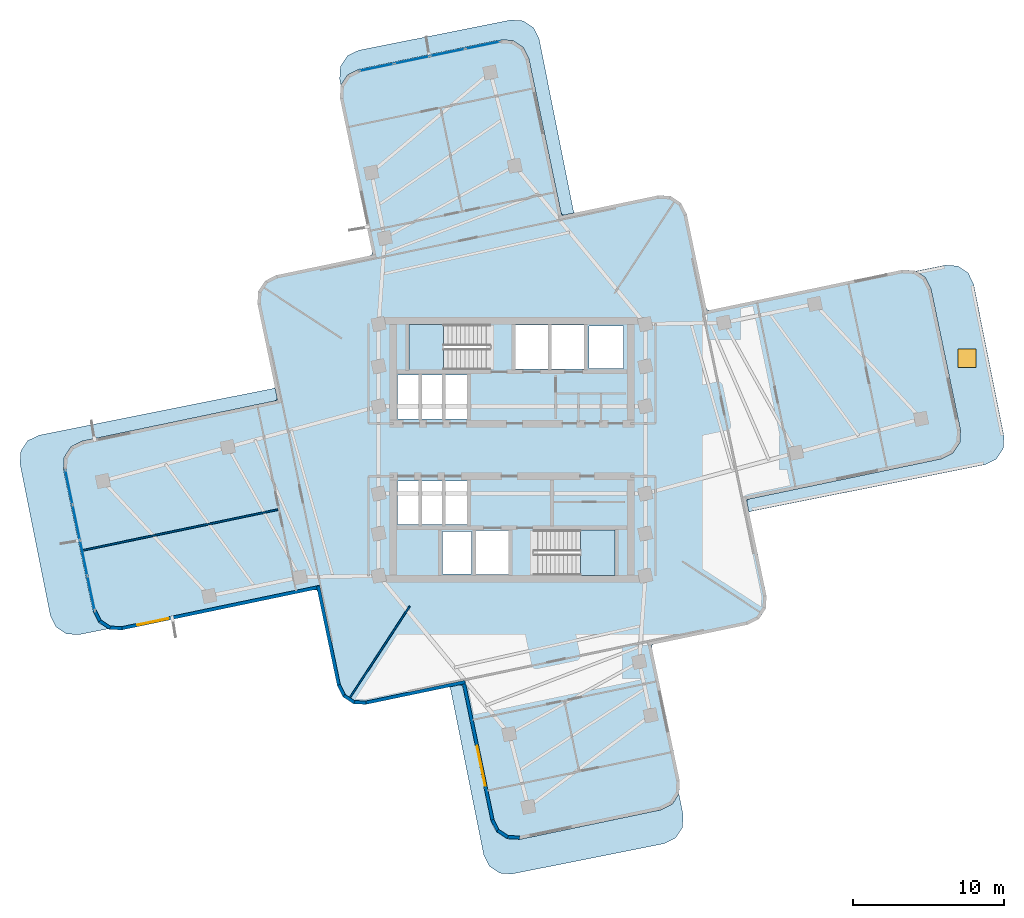
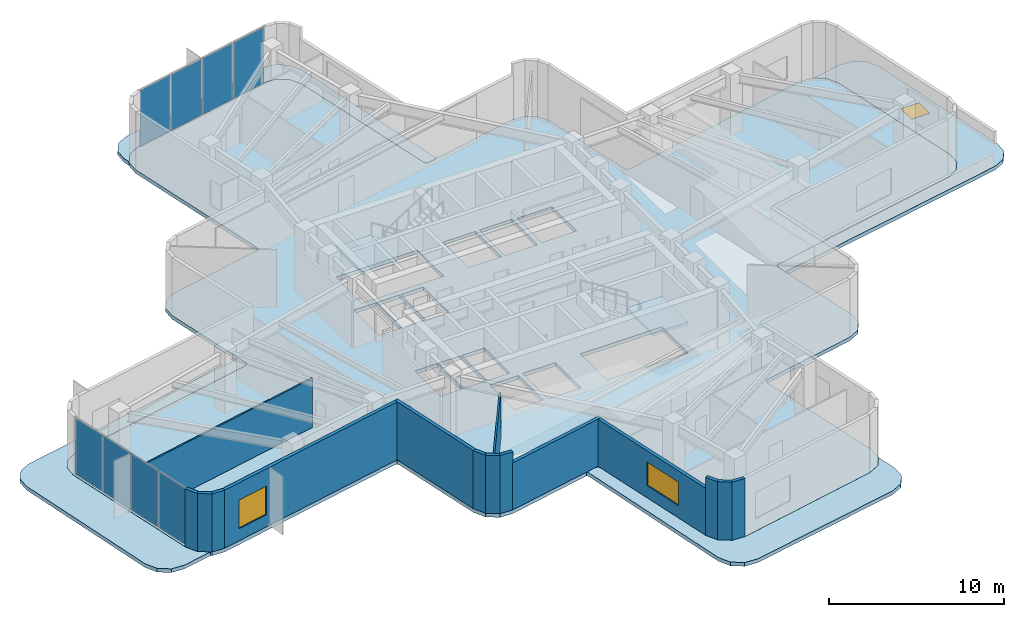
# One storey, part 5 of 12: 15 walls, 8 plates, 7 slabs, 3 windows, 3 openings, 4 elements without a shape of their own.
"""IFC4 building model written with IfcOpenShell, lengths in metres."""

from ifc_helpers import new_model, si_unit, direction, frame, frame_2d, origin, origin_2d, place, context, subcontext, project, spatial, polyline, rectangle, outline, extrude, material, layer, layer_set, type_object, element, fill, aggregate, save


model = new_model("IFC4")

# Units and contexts
model_context = context("Model", 3, precision=1e-05, world=origin(), true_north=direction((0.0, 1.0)))
body_context = subcontext(model_context, "Body", "Model", "MODEL_VIEW")
ifc_project = project(units=[si_unit("LENGTHUNIT", "METRE"), si_unit("AREAUNIT", "SQUARE_METRE"), si_unit("VOLUMEUNIT", "CUBIC_METRE"), si_unit("PLANEANGLEUNIT", "RADIAN"), si_unit("MASSUNIT", "GRAM", prefix="KILO")], contexts=[model_context])

# Site, building, storey
site_placement = place(None, origin())
site = spatial("IfcSite", under=ifc_project, at=site_placement, CompositionType="ELEMENT")
building_placement = place(site_placement, origin())
building = spatial("IfcBuilding", under=site, at=building_placement, Name="Solmarez Civic Tower", CompositionType="ELEMENT")
storey_placement = place(building_placement, frame((0.0, 0.0, 111.9599609375)))
storey = spatial("IfcBuildingStorey", under=building, at=storey_placement, Name="L29", CompositionType="ELEMENT", Elevation=111.9599609375)

# Curtain wall, plates
ifc_material_1 = material(Name="Bronze Anodised Aluminium EN AW-6063 T6", Category="aluminium")
ifc_layer_1 = layer(ifc_material_1, 0.2099609375)
ifc_layer_set_1 = layer_set([ifc_layer_1], Name="Bronze Anodised Aluminium EN AW-6063 T6")
curtain_wall_type = type_object("IfcCurtainWallType", Name="CW-SYS-5", PredefinedType="NOTDEFINED", material=ifc_layer_set_1)
curtain_wall_1_placement = place(storey_placement, origin())
curtain_wall_1 = element("IfcCurtainWall", 1, at=curtain_wall_1_placement, inside=storey, type_object=curtain_wall_type, Name="L29 Stick-Built Curtain Wall 1", PredefinedType="NOTDEFINED")
ifc_material_2 = material(Name="Solar Control Low-E Laminated Vision Glass", Category="glass")
ifc_layer_2 = layer(ifc_material_2, 0.028076171875)
ifc_layer_set_2 = layer_set([ifc_layer_2], Name="Solar Control Low-E Laminated Vision Glass")
plate_type = type_object("IfcPlateType", Name="CWP-GLAZ-28", PredefinedType="CURTAIN_PANEL", material=ifc_layer_set_2)
plate_1_placement = place(storey_placement, frame((-27.936767578125, -9.50244140625, 0.06494140625), z_axis=(0.0, 0.0, 1.0), x_axis=(-0.20456439603, 0.978853108427, 0.0)))
plate_1 = element("IfcPlate", 2, at=plate_1_placement, type_object=plate_type, Name="CWS5 panel 1.1", PredefinedType="CURTAIN_PANEL", context=body_context, shape_type="SweptSolid", body=[
    extrude(rectangle(XDim=2.292724609375, YDim=0.028076171875, at=origin_2d()), origin(), (0.0, 0.0, 1.0), 3.929931640625),
])
plate_2_placement = place(storey_placement, frame((-28.425048828125, -7.16650390625, 0.06494140625), z_axis=(0.0, 0.0, 1.0), x_axis=(-0.20456439603, 0.978853108427, 0.0)))
plate_2 = element("IfcPlate", 3, at=plate_2_placement, type_object=plate_type, Name="CWS5 panel 2.1", PredefinedType="CURTAIN_PANEL", context=body_context, shape_type="SweptSolid", body=[
    extrude(rectangle(XDim=2.330078125, YDim=0.028076171875, at=origin_2d()), origin(), (0.0, 0.0, 1.0), 3.929931640625),
])
plate_3_placement = place(storey_placement, frame((-28.9169921875, -4.812255859375, 0.06494140625), z_axis=(0.0, 0.0, 1.0), x_axis=(-0.20456439603, 0.978853108427, 0.0)))
plate_3 = element("IfcPlate", 4, at=plate_3_placement, type_object=plate_type, Name="CWS5 panel 3.1", PredefinedType="CURTAIN_PANEL", context=body_context, shape_type="SweptSolid", body=[
    extrude(rectangle(XDim=2.330078125, YDim=0.028076171875, at=origin_2d()), origin(), (0.0, 0.0, 1.0), 3.929931640625),
])
plate_4_placement = place(storey_placement, frame((-29.4052734375, -2.4765625, 0.06494140625), z_axis=(0.0, 0.0, 1.0), x_axis=(-0.20456439603, 0.978853108427, 0.0)))
plate_4 = element("IfcPlate", 5, at=plate_4_placement, type_object=plate_type, Name="CWS5 panel 4.1", PredefinedType="CURTAIN_PANEL", context=body_context, shape_type="SweptSolid", body=[
    extrude(rectangle(XDim=2.292724609375, YDim=0.028076171875, at=origin_2d()), origin(), (0.0, 0.0, 1.0), 3.929931640625),
])
aggregate(curtain_wall_1, [plate_1, plate_2, plate_3, plate_4])

curtain_wall_2_placement = place(storey_placement, origin())
curtain_wall_2 = element("IfcCurtainWall", 6, at=curtain_wall_2_placement, inside=storey, type_object=curtain_wall_type, Name="L29 Stick-Built Curtain Wall 2", PredefinedType="NOTDEFINED")
plate_5_placement = place(storey_placement, frame((-8.970703125, 25.391845703125, 0.06494140625), z_axis=(0.0, 0.0, 1.0), x_axis=(0.978848758007, 0.204585211948, 0.0)))
plate_5 = element("IfcPlate", 7, at=plate_5_placement, type_object=plate_type, Name="CWS5 panel 1.1", PredefinedType="CURTAIN_PANEL", context=body_context, shape_type="SweptSolid", body=[
    extrude(rectangle(XDim=2.29248046875, YDim=0.028076171875, at=origin_2d()), origin(), (0.0, 0.0, 1.0), 3.929931640625),
])
plate_6_placement = place(storey_placement, frame((-6.635009765625, 25.8798828125, 0.06494140625), z_axis=(0.0, 0.0, 1.0), x_axis=(0.978848758007, 0.204585211948, 0.0)))
plate_6 = element("IfcPlate", 8, at=plate_6_placement, type_object=plate_type, Name="CWS5 panel 2.1", PredefinedType="CURTAIN_PANEL", context=body_context, shape_type="SweptSolid", body=[
    extrude(rectangle(XDim=2.329833984375, YDim=0.028076171875, at=origin_2d()), origin(), (0.0, 0.0, 1.0), 3.929931640625),
])
plate_7_placement = place(storey_placement, frame((-4.281005859375, 26.3720703125, 0.06494140625), z_axis=(0.0, 0.0, 1.0), x_axis=(0.978848758007, 0.204585211948, 0.0)))
plate_7 = element("IfcPlate", 9, at=plate_7_placement, type_object=plate_type, Name="CWS5 panel 3.1", PredefinedType="CURTAIN_PANEL", context=body_context, shape_type="SweptSolid", body=[
    extrude(rectangle(XDim=2.329833984375, YDim=0.028076171875, at=origin_2d()), origin(), (0.0, 0.0, 1.0), 3.929931640625),
])
plate_8_placement = place(storey_placement, frame((-1.9453125, 26.860107421875, 0.06494140625), z_axis=(0.0, 0.0, 1.0), x_axis=(0.978848758007, 0.204585211948, 0.0)))
plate_8 = element("IfcPlate", 10, at=plate_8_placement, type_object=plate_type, Name="CWS5 panel 4.1", PredefinedType="CURTAIN_PANEL", context=body_context, shape_type="SweptSolid", body=[
    extrude(rectangle(XDim=2.29248046875, YDim=0.028076171875, at=origin_2d()), origin(), (0.0, 0.0, 1.0), 3.929931640625),
])
aggregate(curtain_wall_2, [plate_5, plate_6, plate_7, plate_8])

# Stair, slab
ifc_material_3 = material(Name="Concrete C50/60", Category="concrete")
stair_type = type_object("IfcStairType", Name="STAIR-DOGLEG-140W-24R-1800", PredefinedType="HALF_TURN_STAIR", material=ifc_material_3)
stair_1_placement = place(storey_placement, origin())
stair_1 = element("IfcStair", 11, at=stair_1_placement, inside=storey, type_object=stair_type, Name="L29 North Core Protected Exit Stair ST-1", PredefinedType="HALF_TURN_STAIR")
ifc_layer_3 = layer(ifc_material_3, 0.199951171875)
ifc_layer_set_3 = layer_set([ifc_layer_3], Name="Concrete C50/60")
slab_type_1 = type_object("IfcSlabType", Name="SLAB-LANDING-200", PredefinedType="LANDING", material=ifc_layer_set_3)
slab_1_placement = place(storey_placement, frame((0.0, 0.0, 1.9599609375)))
slab_1 = element("IfcSlab", 12, at=slab_1_placement, type_object=slab_type_1, Name="ST-1 landing 1", PredefinedType="LANDING", context=body_context, shape_type="SweptSolid", body=[
    extrude(outline(polyline([(-4.530029296875, 8.320068359375), (-6.85009765625, 8.320068359375), (-6.85009765625, 5.320068359375), (-4.530029296875, 5.320068359375), (-4.530029296875, 8.320068359375)])), origin(), (0.0, 0.0, 1.0), 0.2001953125),
])
aggregate(stair_1, [slab_1])

stair_2_placement = place(storey_placement, origin())
stair_2 = element("IfcStair", 13, at=stair_2_placement, inside=storey, type_object=stair_type, Name="L29 South Core Protected Exit Stair ST-2", PredefinedType="HALF_TURN_STAIR")
slab_2_placement = place(storey_placement, frame((0.0, 0.0, 1.9599609375)))
slab_2 = element("IfcSlab", 14, at=slab_2_placement, type_object=slab_type_1, Name="ST-2 landing 1", PredefinedType="LANDING", context=body_context, shape_type="SweptSolid", body=[
    extrude(outline(polyline([(4.530029296875, -8.320068359375), (6.85009765625, -8.320068359375), (6.85009765625, -5.320068359375), (4.530029296875, -5.320068359375), (4.530029296875, -8.320068359375)])), origin(), (0.0, 0.0, 1.0), 0.2001953125),
])
aggregate(stair_2, [slab_2])

# Slab, opening, window
ifc_layer_4 = layer(ifc_material_3, 0.25)
ifc_layer_set_4 = layer_set([ifc_layer_4], Name="Concrete C50/60")
slab_type_2 = type_object("IfcSlabType", Name="SLAB-ROOF-250", PredefinedType="ROOF", material=ifc_layer_set_4)
slab_3_placement = place(storey_placement, frame((0.0, 0.0, -0.260009765625)))
slab_3 = element("IfcSlab", 15, at=slab_3_placement, inside=storey, type_object=slab_type_2, Name="L29 Setback Roof Slab 1", PredefinedType="ROOF", context=body_context, shape_type="SweptSolid", body=[
    extrude(outline(polyline([(26.787109375, 11.868896484375), (27.425048828125, 11.450927734375), (27.799072265625, 10.7109375), (29.761962890625, 1.31396484375), (29.716064453125, 0.486083984375), (29.260986328125, -0.2080078125), (28.52197265625, -0.58203125), (15.758056640625, -3.248046875), (15.60595703125, -3.324951171875), (15.595947265625, -3.4951171875), (15.73095703125, -4.14111328125), (15.864013671875, -4.075927734375), (31.39794921875, -0.97705078125), (32.139892578125, -0.611083984375), (32.60009765625, 0.077880859375), (32.654052734375, 0.905029296875), (30.638916015625, 11.006103515625), (30.27197265625, 11.748046875), (29.583984375, 12.2080078125), (28.757080078125, 12.261962890625), (26.787109375, 11.868896484375)])), origin(), (0.0, 0.0, 1.0), 0.260009765625),
])
opening_1_placement = place(slab_3_placement, frame((30.194091796875, 6.087890625, 0.0)))
opening_1 = element("IfcOpeningElement", 16, at=opening_1_placement, cuts=slab_3, Name="Opening SK-01", PredefinedType="OPENING", context=body_context, shape_type="SweptSolid", body=[
    extrude(rectangle(XDim=1.199951171875, YDim=1.199951171875, at=origin_2d()), frame((0.0, 0.0, -0.010009765625)), (0.0, 0.0, 1.0), 0.280029296875),
])
ifc_material_4 = material(Name="Solar Control Bronze-Tinted Insulating Glass", Category="glass")
window_type_1 = type_object("IfcWindowType", Name="SKY-1200X1200", PartitioningType="SINGLE_PANEL", PredefinedType="SKYLIGHT", material=ifc_material_4)
window_1_placement = place(opening_1_placement, frame((0.0, 0.0, 0.2099609375)))
window_1 = element("IfcWindow", 17, at=window_1_placement, inside=storey, type_object=window_type_1, Name="L29 Roof Maintenance Skylight Hatch", OverallHeight=1.199951171875, OverallWidth=1.199951171875, PartitioningType="SINGLE_PANEL", PredefinedType="SKYLIGHT", context=body_context, shape_type="SweptSolid", body=[
    extrude(rectangle(XDim=1.199951171875, YDim=1.199951171875, at=origin_2d()), origin(), (0.0, 0.0, 1.0), 0.050048828125),
])
fill(opening_1, window_1)

# Slabs
slab_4_placement = place(storey_placement, frame((0.0, 0.0, -0.260009765625)))
element("IfcSlab", 18, at=slab_4_placement, inside=storey, type_object=slab_type_2, Name="L29 Setback Roof Slab 2", PredefinedType="ROOF", context=body_context, shape_type="SweptSolid", body=[
    extrude(outline(polyline([(-26.787109375, -11.868896484375), (-27.425048828125, -11.450927734375), (-27.799072265625, -10.7109375), (-29.761962890625, -1.31396484375), (-29.716064453125, -0.486083984375), (-29.260986328125, 0.2080078125), (-28.52197265625, 0.58203125), (-15.758056640625, 3.248046875), (-15.60595703125, 3.324951171875), (-15.595947265625, 3.4951171875), (-15.73095703125, 4.14111328125), (-15.864013671875, 4.075927734375), (-31.39794921875, 0.97705078125), (-32.139892578125, 0.611083984375), (-32.60009765625, -0.077880859375), (-32.654052734375, -0.905029296875), (-30.638916015625, -11.006103515625), (-30.27197265625, -11.748046875), (-29.583984375, -12.2080078125), (-28.757080078125, -12.261962890625), (-26.787109375, -11.868896484375)])), origin(), (0.0, 0.0, 1.0), 0.260009765625),
])
slab_5_placement = place(storey_placement, frame((0.0, 0.0, -0.260009765625)))
element("IfcSlab", 19, at=slab_5_placement, inside=storey, type_object=slab_type_2, Name="L29 Setback Roof Slab 3", PredefinedType="ROOF", context=body_context, shape_type="SweptSolid", body=[
    extrude(outline(polyline([(11.0791015625, -22.827880859375), (10.633056640625, -23.510009765625), (9.89306640625, -23.884033203125), (0.49609375, -25.846923828125), (-0.33203125, -25.800048828125), (-1.02587890625, -25.345947265625), (-1.39990234375, -24.60595703125), (-3.248046875, -15.758056640625), (-3.324951171875, -15.60595703125), (-3.4951171875, -15.595947265625), (-4.14111328125, -15.73095703125), (-4.075927734375, -15.864013671875), (-1.876953125, -26.886962890625), (-1.510009765625, -27.62890625), (-0.822021484375, -28.089111328125), (0.0048828125, -28.14306640625), (10.10595703125, -26.1279296875), (10.84912109375, -25.760986328125), (11.30810546875, -25.072021484375), (11.362060546875, -24.24609375), (11.0791015625, -22.827880859375)])), origin(), (0.0, 0.0, 1.0), 0.260009765625),
])
slab_6_placement = place(storey_placement, frame((0.0, 0.0, -0.260009765625)))
element("IfcSlab", 20, at=slab_6_placement, inside=storey, type_object=slab_type_2, Name="L29 Setback Roof Slab 4", PredefinedType="ROOF", context=body_context, shape_type="SweptSolid", body=[
    extrude(outline(polyline([(-11.35595703125, 24.214111328125), (-10.9189453125, 24.8798828125), (-10.178955078125, 25.25390625), (-0.781982421875, 27.217041015625), (0.0458984375, 27.1708984375), (0.739990234375, 26.716064453125), (1.113037109375, 25.97705078125), (3.248046875, 15.758056640625), (3.324951171875, 15.60595703125), (3.4951171875, 15.595947265625), (4.14111328125, 15.73095703125), (4.075927734375, 15.864013671875), (1.799072265625, 27.279052734375), (1.431884765625, 28.02099609375), (0.742919921875, 28.48095703125), (-0.0830078125, 28.534912109375), (-10.18408203125, 26.52001953125), (-10.927001953125, 26.154052734375), (-11.386962890625, 25.465087890625), (-11.43994140625, 24.637939453125), (-11.35595703125, 24.214111328125)])), origin(), (0.0, 0.0, 1.0), 0.260009765625),
])
ifc_layer_5 = layer(ifc_material_3, 0.260009765625)
ifc_layer_set_5 = layer_set([ifc_layer_5], Name="Concrete C50/60")
slab_type_3 = type_object("IfcSlabType", Name="SLAB-TOWER-260", PredefinedType="FLOOR", material=ifc_layer_set_5)
slab_7_placement = place(storey_placement, frame((0.0, 0.0, -0.260009765625)))
element("IfcSlab", 21, at=slab_7_placement, inside=storey, type_object=slab_type_3, Name="L29 Structural Slab", PredefinedType="FLOOR", context=body_context, shape_type="SweptSolid", body=[
    extrude(outline(polyline([(-12.89111328125, -9.446044921875), (-11.593994140625, -15.652099609375), (-11.220947265625, -16.39111328125), (-10.528076171875, -16.844970703125), (-9.700927734375, -16.89111328125), (-3.49609375, -15.593994140625), (-3.323974609375, -15.60400390625), (-3.24609375, -15.757080078125), (-1.39794921875, -24.60595703125), (-1.02392578125, -25.344970703125), (-0.3310546875, -25.799072265625), (0.49609375, -25.844970703125), (9.89306640625, -23.882080078125), (10.632080078125, -23.508056640625), (11.0859375, -22.81494140625), (11.132080078125, -21.988037109375), (9.282958984375, -13.139892578125), (9.29296875, -12.968017578125), (9.446044921875, -12.89111328125), (15.652099609375, -11.593994140625), (16.39111328125, -11.220947265625), (16.844970703125, -10.528076171875), (16.89111328125, -9.700927734375), (15.593994140625, -3.49609375), (15.60400390625, -3.323974609375), (15.757080078125, -3.24609375), (28.52099609375, -0.580078125), (29.260986328125, -0.2060546875), (29.714111328125, 0.487060546875), (29.760009765625, 1.31396484375), (27.797119140625, 10.7109375), (27.424072265625, 11.449951171875), (26.73095703125, 11.904052734375), (25.904052734375, 11.949951171875), (13.139892578125, 9.282958984375), (12.968017578125, 9.29296875), (12.89111328125, 9.446044921875), (11.593994140625, 15.652099609375), (11.220947265625, 16.39111328125), (10.528076171875, 16.844970703125), (9.700927734375, 16.89111328125), (3.49609375, 15.593994140625), (3.323974609375, 15.60400390625), (3.24609375, 15.757080078125), (1.111083984375, 25.97607421875), (0.738037109375, 26.715087890625), (0.044921875, 27.1689453125), (-0.781982421875, 27.215087890625), (-10.178955078125, 25.251953125), (-10.91796875, 24.87890625), (-11.3720703125, 24.18603515625), (-11.41796875, 23.35888671875), (-9.282958984375, 13.139892578125), (-9.29296875, 12.968017578125), (-9.446044921875, 12.89111328125), (-15.652099609375, 11.593994140625), (-16.39111328125, 11.220947265625), (-16.844970703125, 10.528076171875), (-16.89111328125, 9.700927734375), (-15.593994140625, 3.49609375), (-15.60400390625, 3.323974609375), (-15.757080078125, 3.24609375), (-28.52099609375, 0.580078125), (-29.260986328125, 0.2060546875), (-29.714111328125, -0.487060546875), (-29.760009765625, -1.31396484375), (-27.797119140625, -10.7109375), (-27.424072265625, -11.449951171875), (-26.73095703125, -11.904052734375), (-25.904052734375, -11.949951171875), (-13.139892578125, -9.282958984375), (-12.968017578125, -9.29296875), (-12.89111328125, -9.446044921875)]), holes=[polyline([(-1.449951171875, 8.320068359375), (-6.85009765625, 8.320068359375), (-6.85009765625, 5.320068359375), (-1.449951171875, 5.320068359375), (-1.449951171875, 8.320068359375)]), polyline([(1.449951171875, -8.320068359375), (6.85009765625, -8.320068359375), (6.85009765625, -5.320068359375), (1.449951171875, -5.320068359375), (1.449951171875, -8.320068359375)]), polyline([(0.219970703125, 5.360107421875), (2.3798828125, 5.360107421875), (2.3798828125, 8.280029296875), (0.219970703125, 8.280029296875), (0.219970703125, 5.360107421875)]), polyline([(2.6201171875, 5.360107421875), (4.780029296875, 5.360107421875), (4.780029296875, 8.280029296875), (2.6201171875, 8.280029296875), (2.6201171875, 5.360107421875)]), polyline([(-2.3798828125, -8.280029296875), (-0.219970703125, -8.280029296875), (-0.219970703125, -5.360107421875), (-2.3798828125, -5.360107421875), (-2.3798828125, -8.280029296875)]), polyline([(-7.60009765625, -4.9599609375), (-6.1201171875, -4.9599609375), (-6.1201171875, -2.06005859375), (-7.60009765625, -2.06005859375), (-7.60009765625, -4.9599609375)]), polyline([(-6.0400390625, -4.9599609375), (-4.56005859375, -4.9599609375), (-4.56005859375, -2.06005859375), (-6.0400390625, -2.06005859375), (-6.0400390625, -4.9599609375)]), polyline([(-4.47998046875, -4.9599609375), (-3.0, -4.9599609375), (-3.0, -2.06005859375), (-4.47998046875, -2.06005859375), (-4.47998046875, -4.9599609375)]), polyline([(-7.60009765625, 2.06005859375), (-6.1201171875, 2.06005859375), (-6.1201171875, 4.9599609375), (-7.60009765625, 4.9599609375), (-7.60009765625, 2.06005859375)]), polyline([(-6.0400390625, 2.06005859375), (-4.56005859375, 2.06005859375), (-4.56005859375, 4.9599609375), (-6.0400390625, 4.9599609375), (-6.0400390625, 2.06005859375)]), polyline([(-4.47998046875, 2.06005859375), (-3.0, 2.06005859375), (-3.0, 4.9599609375), (-4.47998046875, 4.9599609375), (-4.47998046875, 2.06005859375)]), polyline([(5.10009765625, 5.419921875), (7.39990234375, 5.419921875), (7.39990234375, 8.219970703125), (5.10009765625, 8.219970703125), (5.10009765625, 5.419921875)]), polyline([(-4.60009765625, -8.219970703125), (-2.699951171875, -8.219970703125), (-2.699951171875, -5.419921875), (-4.60009765625, -5.419921875), (-4.60009765625, -8.219970703125)])]), origin(), (0.0, 0.0, 1.0), 0.260009765625),
])

# Wall, opening, window
ifc_material_5 = material(Name="Precast concrete C40/50", Category="concrete")
ifc_layer_6 = layer(ifc_material_5, 0.219970703125)
ifc_layer_set_6 = layer_set([ifc_layer_6], Name="Precast concrete C40/50")
wall_type_1 = type_object("IfcWallType", Name="WALL-EXT-220", PredefinedType="SOLIDWALL", material=ifc_layer_set_6)
wall_1_placement = place(storey_placement, frame((-12.762939453125, -9.092041015625, 0.0), z_axis=(0.0, 0.0, 1.0), x_axis=(-0.97886813171, -0.204492495517, 0.0)))
wall_1 = element("IfcWall", 22, at=wall_1_placement, inside=storey, type_object=wall_type_1, Name="L29 Exterior Precast Wall 2", PredefinedType="SOLIDWALL", context=body_context, shape_type="SweptSolid", body=[
    extrude(rectangle(XDim=13.45751953125, YDim=0.219970703125, at=frame_2d((6.728759765625, 0.0))), origin(), (0.0, 0.0, 1.0), 4.06005859375),
])
opening_2_placement = place(wall_1_placement, frame((10.257080078125, 0.0, 0.85009765625)))
opening_2 = element("IfcOpeningElement", 23, at=opening_2_placement, cuts=wall_1, Name="Opening W-03", PredefinedType="OPENING", context=body_context, shape_type="SweptSolid", body=[
    extrude(rectangle(XDim=2.10009765625, YDim=2.0, at=frame_2d((1.050048828125, 1.0))), frame((0.0, 0.119873046875, 0.0), z_axis=(0.0, -1.0, 0.0), x_axis=(1.0, 0.0, 0.0)), (0.0, 0.0, 1.0), 0.239990234375),
])
window_type_2 = type_object("IfcWindowType", Name="WIN-2100X2000", PartitioningType="SINGLE_PANEL", PredefinedType="WINDOW", material=ifc_material_4)
window_2_placement = place(opening_2_placement, origin())
window_2 = element("IfcWindow", 24, at=window_2_placement, inside=storey, type_object=window_type_2, Name="L29 Exterior Facade Window 2", OverallHeight=2.0, OverallWidth=2.10009765625, PartitioningType="SINGLE_PANEL", PredefinedType="WINDOW", context=body_context, shape_type="SweptSolid", body=[
    extrude(rectangle(XDim=2.10009765625, YDim=2.0, at=frame_2d((1.050048828125, 1.0))), frame((0.0, 0.030029296875, 0.0), z_axis=(0.0, -1.0, 0.0), x_axis=(1.0, 0.0, 0.0)), (0.0, 0.0, 1.0), 0.06005859375),
])
fill(opening_2, window_2)

# Walls
wall_2_placement = place(storey_placement, frame((-25.886962890625, -11.840087890625, 0.0), z_axis=(0.0, 0.0, 1.0), x_axis=(-0.998469344193, 0.05530794433, 0.0)))
element("IfcWall", 25, at=wall_2_placement, inside=storey, type_object=wall_type_1, Name="L29 Exterior Precast Wall 3", PredefinedType="SOLIDWALL", context=body_context, shape_type="SweptSolid", body=[
    extrude(rectangle(XDim=0.834228515625, YDim=0.219970703125, at=frame_2d((0.4169921875, 0.0))), origin(), (0.0, 0.0, 1.0), 4.06005859375),
])
wall_3_placement = place(storey_placement, frame((-26.674072265625, -11.80908203125, 0.0), z_axis=(0.0, 0.0, 1.0), x_axis=(-0.836738727822, 0.54760232045, 0.0)))
element("IfcWall", 26, at=wall_3_placement, inside=storey, type_object=wall_type_1, Name="L29 Exterior Precast Wall 4", PredefinedType="SOLIDWALL", context=body_context, shape_type="SweptSolid", body=[
    extrude(rectangle(XDim=0.81982421875, YDim=0.219970703125, at=frame_2d((0.409912109375, 0.0))), origin(), (0.0, 0.0, 1.0), 4.06005859375),
])
wall_4_placement = place(storey_placement, frame((-27.327880859375, -11.39599609375, 0.0), z_axis=(0.0, 0.0, 1.0), x_axis=(-0.450141805655, 0.892957084524, 0.0)))
element("IfcWall", 27, at=wall_4_placement, inside=storey, type_object=wall_type_1, Name="L29 Exterior Precast Wall 5", PredefinedType="SOLIDWALL", context=body_context, shape_type="SweptSolid", body=[
    extrude(rectangle(XDim=0.8330078125, YDim=0.219970703125, at=frame_2d((0.41650390625, 0.0))), origin(), (0.0, 0.0, 1.0), 4.06005859375),
])
wall_5_placement = place(storey_placement, frame((0.511962890625, -25.735107421875, 0.0), z_axis=(0.0, 0.0, 1.0), x_axis=(-0.998469344193, 0.05530794433, 0.0)))
element("IfcWall", 28, at=wall_5_placement, inside=storey, type_object=wall_type_1, Name="L29 Exterior Precast Wall 61", PredefinedType="SOLIDWALL", context=body_context, shape_type="SweptSolid", body=[
    extrude(rectangle(XDim=0.834228515625, YDim=0.219970703125, at=frame_2d((0.4169921875, 0.0))), origin(), (0.0, 0.0, 1.0), 4.06005859375),
])
wall_6_placement = place(storey_placement, frame((-0.27490234375, -25.7041015625, 0.0), z_axis=(0.0, 0.0, 1.0), x_axis=(-0.836244367386, 0.54835696222, 0.0)))
element("IfcWall", 29, at=wall_6_placement, inside=storey, type_object=wall_type_1, Name="L29 Exterior Precast Wall 62", PredefinedType="SOLIDWALL", context=body_context, shape_type="SweptSolid", body=[
    extrude(rectangle(XDim=0.819091796875, YDim=0.219970703125, at=frame_2d((0.40966796875, 0.0))), origin(), (0.0, 0.0, 1.0), 4.06005859375),
])
wall_7_placement = place(storey_placement, frame((-0.927978515625, -25.291015625, 0.0), z_axis=(0.0, 0.0, 1.0), x_axis=(-0.45107578101, 0.892485652426, 0.0)))
element("IfcWall", 30, at=wall_7_placement, inside=storey, type_object=wall_type_1, Name="L29 Exterior Precast Wall 63", PredefinedType="SOLIDWALL", context=body_context, shape_type="SweptSolid", body=[
    extrude(rectangle(XDim=0.83349609375, YDim=0.219970703125, at=frame_2d((0.416748046875, 0.0))), origin(), (0.0, 0.0, 1.0), 4.06005859375),
])

# Wall, opening, window
wall_8_placement = place(storey_placement, frame((-1.2880859375, -24.593017578125, 0.0), z_axis=(0.0, 0.0, 1.0), x_axis=(-0.20456753982, 0.978852451421, 0.0)))
wall_8 = element("IfcWall", 31, at=wall_8_placement, inside=storey, type_object=wall_type_1, Name="L29 Exterior Precast Wall 64", PredefinedType="SOLIDWALL", context=body_context, shape_type="SweptSolid", body=[
    extrude(rectangle(XDim=9.4580078125, YDim=0.219970703125, at=frame_2d((4.72900390625, 0.0))), origin(), (0.0, 0.0, 1.0), 3.2900390625),
])
opening_3_placement = place(wall_8_placement, frame((2.35009765625, 0.0, 0.85009765625)))
opening_3 = element("IfcOpeningElement", 32, at=opening_3_placement, cuts=wall_8, Name="Opening W-09", PredefinedType="OPENING", context=body_context, shape_type="SweptSolid", body=[
    extrude(rectangle(XDim=2.699951171875, YDim=1.64990234375, at=frame_2d((1.35009765625, 0.824951171875))), frame((0.0, 0.119873046875, 0.0), z_axis=(0.0, -1.0, 0.0), x_axis=(1.0, 0.0, 0.0)), (0.0, 0.0, 1.0), 0.239990234375),
])
window_type_3 = type_object("IfcWindowType", Name="WIN-2700X1650", PartitioningType="SINGLE_PANEL", PredefinedType="WINDOW", material=ifc_material_4)
window_3_placement = place(opening_3_placement, origin())
window_3 = element("IfcWindow", 33, at=window_3_placement, inside=storey, type_object=window_type_3, Name="L29 Exterior Facade Window 64", OverallHeight=1.64990234375, OverallWidth=2.699951171875, PartitioningType="SINGLE_PANEL", PredefinedType="WINDOW", context=body_context, shape_type="SweptSolid", body=[
    extrude(rectangle(XDim=2.699951171875, YDim=1.64990234375, at=frame_2d((1.35009765625, 0.824951171875))), frame((0.0, 0.030029296875, 0.0), z_axis=(0.0, -1.0, 0.0), x_axis=(1.0, 0.0, 0.0)), (0.0, 0.0, 1.0), 0.06005859375),
])
fill(opening_3, window_3)

# Walls
wall_9_placement = place(storey_placement, frame((-3.118896484375, -15.403076171875, 0.0), z_axis=(0.0, 0.0, 1.0), x_axis=(-0.978864530031, -0.204509735336, 0.0)))
element("IfcWall", 34, at=wall_9_placement, inside=storey, type_object=wall_type_1, Name="L29 Exterior Precast Wall 67", PredefinedType="SOLIDWALL", context=body_context, shape_type="SweptSolid", body=[
    extrude(rectangle(XDim=6.7568359375, YDim=0.219970703125, at=frame_2d((3.37841796875, 0.0))), origin(), (0.0, 0.0, 1.0), 3.2900390625),
])
wall_10_placement = place(storey_placement, frame((-9.68408203125, -16.781005859375, 0.0), z_axis=(0.0, 0.0, 1.0), x_axis=(-0.998485462078, 0.055016197793, 0.0)))
element("IfcWall", 35, at=wall_10_placement, inside=storey, type_object=wall_type_1, Name="L29 Exterior Precast Wall 68", PredefinedType="SOLIDWALL", context=body_context, shape_type="SweptSolid", body=[
    extrude(rectangle(XDim=0.834228515625, YDim=0.219970703125, at=frame_2d((0.4169921875, 0.0))), origin(), (0.0, 0.0, 1.0), 4.06005859375),
])
wall_11_placement = place(storey_placement, frame((-10.470947265625, -16.75, 0.0), z_axis=(0.0, 0.0, 1.0), x_axis=(-0.836738727822, 0.54760232045, 0.0)))
element("IfcWall", 36, at=wall_11_placement, inside=storey, type_object=wall_type_1, Name="L29 Exterior Precast Wall 69", PredefinedType="SOLIDWALL", context=body_context, shape_type="SweptSolid", body=[
    extrude(rectangle(XDim=0.81982421875, YDim=0.219970703125, at=frame_2d((0.409912109375, 0.0))), origin(), (0.0, 0.0, 1.0), 4.06005859375),
])
wall_12_placement = place(storey_placement, frame((-11.125, -16.3369140625, 0.0), z_axis=(0.0, 0.0, 1.0), x_axis=(-0.45107578101, 0.892485652426, 0.0)))
element("IfcWall", 37, at=wall_12_placement, inside=storey, type_object=wall_type_1, Name="L29 Exterior Precast Wall 70", PredefinedType="SOLIDWALL", context=body_context, shape_type="SweptSolid", body=[
    extrude(rectangle(XDim=0.83349609375, YDim=0.219970703125, at=frame_2d((0.416748046875, 0.0))), origin(), (0.0, 0.0, 1.0), 4.06005859375),
])
wall_13_placement = place(storey_placement, frame((-11.485107421875, -15.638916015625, 0.0), z_axis=(0.0, 0.0, 1.0), x_axis=(-0.204480806295, 0.978870573598, 0.0)))
element("IfcWall", 38, at=wall_13_placement, inside=storey, type_object=wall_type_1, Name="L29 Exterior Precast Wall 71", PredefinedType="SOLIDWALL", context=body_context, shape_type="SweptSolid", body=[
    extrude(rectangle(XDim=6.7578125, YDim=0.219970703125, at=frame_2d((3.37890625, 0.0))), origin(), (0.0, 0.0, 1.0), 4.06005859375),
])
ifc_material_6 = material(Name="Gypsum Board Acoustic Steel-Stud Partition", Category="steel")
ifc_layer_7 = layer(ifc_material_6, 0.10009765625)
ifc_layer_set_7 = layer_set([ifc_layer_7], Name="Gypsum Board Acoustic Steel-Stud Partition")
wall_type_2 = type_object("IfcWallType", Name="WALL-INT-PART-100", PredefinedType="PARTITIONING", material=ifc_layer_set_7)
wall_14_placement = place(storey_placement, frame((-6.7919921875, -10.3798828125, 0.0), z_axis=(0.0, 0.0, 1.0), x_axis=(-0.547596764532, -0.836742363858, 0.0)))
element("IfcWall", 39, at=wall_14_placement, inside=storey, type_object=wall_type_2, Name="L29 Interior Partition PT-L29-QDIV-3", PredefinedType="PARTITIONING", context=body_context, shape_type="SweptSolid", body=[
    extrude(rectangle(XDim=7.269775390625, YDim=0.10009765625, at=frame_2d((3.634765625, 0.0))), origin(), (0.0, 0.0, 1.0), 3.2900390625),
])
wall_15_placement = place(storey_placement, frame((-15.51904296875, -3.95703125, 0.0), z_axis=(0.0, 0.0, 1.0), x_axis=(-0.978858202992, -0.20454001671, 0.0)))
element("IfcWall", 40, at=wall_15_placement, inside=storey, type_object=wall_type_2, Name="L29 Interior Partition PT-L29-W-TM3", PredefinedType="PARTITIONING", context=body_context, shape_type="SweptSolid", body=[
    extrude(rectangle(XDim=13.21435546875, YDim=0.10009765625, at=frame_2d((6.607177734375, 0.0))), origin(), (0.0, 0.0, 1.0), 3.43994140625),
])

save(model, "model.ifc")
